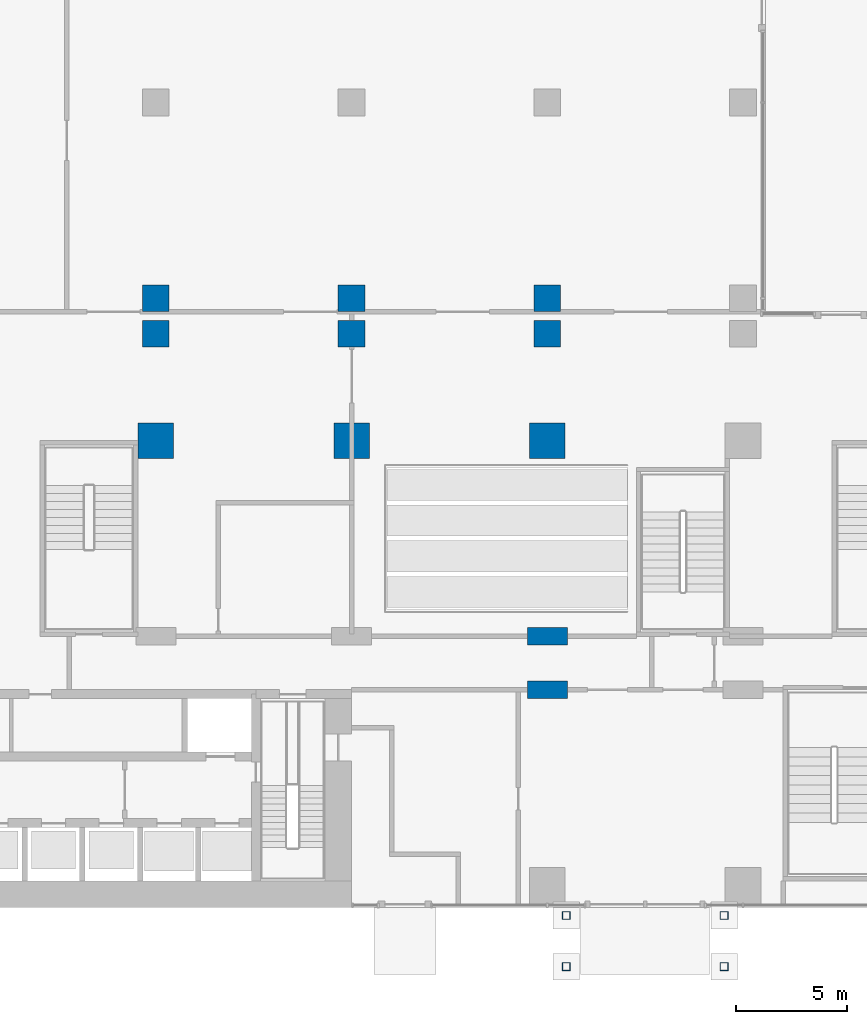
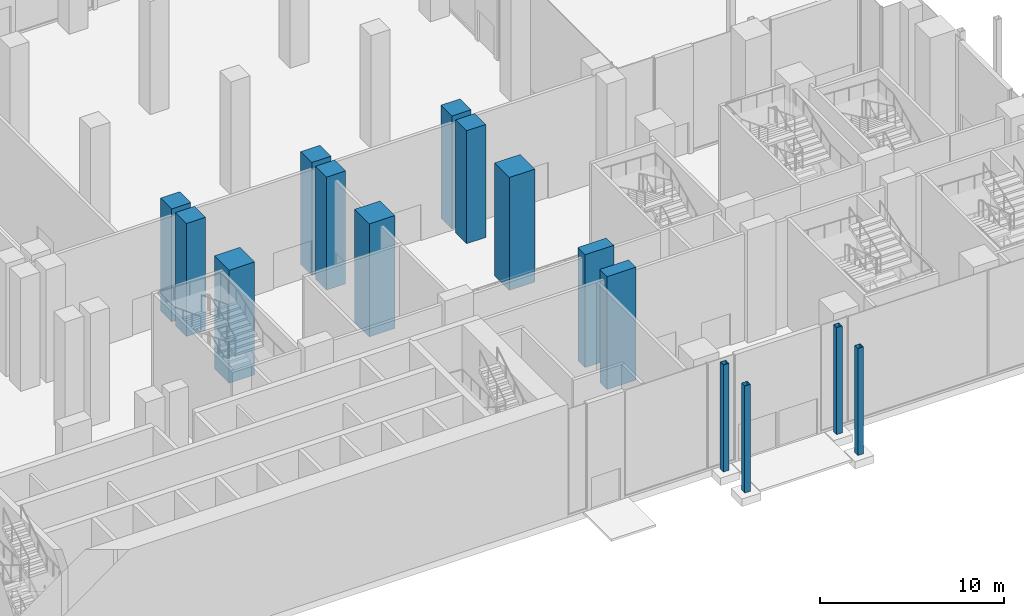
# One storey, part 2 of 41: 15 columns.
"""IFC4 building model written with IfcOpenShell, lengths in metres."""

from ifc_helpers import new_model, si_unit, direction, frame, origin, origin_2d, place, context, subcontext, project, spatial, rectangle, hollow_rectangle, extrude, material, material_profile, profile_set, type_object, element, save


model = new_model("IFC4")

# Units and contexts
model_context = context("Model", 3, precision=1e-05, world=origin(), true_north=direction((0.0, 1.0)))
body_context = subcontext(model_context, "Body", "Model", "MODEL_VIEW")
ifc_project = project(units=[si_unit("LENGTHUNIT", "METRE"), si_unit("AREAUNIT", "SQUARE_METRE"), si_unit("VOLUMEUNIT", "CUBIC_METRE"), si_unit("PLANEANGLEUNIT", "RADIAN"), si_unit("MASSUNIT", "GRAM", prefix="KILO")], contexts=[model_context])

# Site, building, storey
site_placement = place(None, origin())
site = spatial("IfcSite", under=ifc_project, at=site_placement, CompositionType="ELEMENT")
building_placement = place(site_placement, origin())
building = spatial("IfcBuilding", under=site, at=building_placement, Name="Kemantara Hotel Tower", CompositionType="ELEMENT")
storey_placement = place(building_placement, origin())
storey = spatial("IfcBuildingStorey", under=building, at=storey_placement, Name="L00", CompositionType="ELEMENT", Elevation=0.0)

# Columns
ifc_material_1 = material(Name="Steel ASTM A500 Grade C", Category="steel")
ifc_material_profile_1 = material_profile(ifc_material_1, hollow_rectangle(XDim=0.355712890625, YDim=0.355712890625, WallThickness=0.0126953125, at=origin_2d()), Name="HSS355.6X355.6X12.7")
ifc_profile_set_1 = profile_set([ifc_material_profile_1], Name="Steel ASTM A500 Grade C")
column_type_1 = type_object("IfcColumnType", Name="CANOPY POST HSS355.6X355.6X12.7", PredefinedType="COLUMN", material=ifc_profile_set_1)
for number, where, z_axis, x_axis, name in (
    (1, (54.64990234375, -0.35009765625, 0.0), (0.0, 0.0, 1.0), (1.0, 0.0, 0.0), "CANOPY POST STATION-S-1"),
    (2, (61.75, -0.35009765625, 0.0), (0.0, 0.0, 1.0), (1.0, 0.0, 0.0), "CANOPY POST STATION-S-2"),
    (3, (61.75, -2.64990234375, 0.0), (0.0, 0.0, 1.0), (1.0, 0.0, 0.0), "CANOPY POST STATION-S-3"),
    (4, (54.64990234375, -2.64990234375, 0.0), (0.0, 0.0, 1.0), (1.0, 0.0, 0.0), "CANOPY POST STATION-S-4"),
):
    element("IfcColumn", number, at=place(storey_placement, frame(where, z_axis=z_axis, x_axis=x_axis)), inside=storey, type_object=column_type_1, Name=name, PredefinedType="COLUMN", context=body_context, shape_type="SweptSolid", body=[
        extrude(hollow_rectangle(XDim=0.355712890625, YDim=0.355712890625, WallThickness=0.0126953125, at=origin_2d()), origin(), (0.0, 0.0, 1.0), 7.10009765625),
    ])
ifc_material_2 = material(Name="Concrete fc 70 MPa", Category="concrete")
ifc_material_profile_2 = material_profile(ifc_material_2, rectangle(XDim=1.199951171875, YDim=1.199951171875, at=origin_2d()), Name="RC 1200X1200")
ifc_profile_set_2 = profile_set([ifc_material_profile_2], Name="Concrete fc 70 MPa")
column_type_2 = type_object("IfcColumnType", Name="RC COLUMN 1200X1200 FC70", PredefinedType="COLUMN", material=ifc_profile_set_2)
for number, where, z_axis, x_axis, name in (
    (5, (36.199951171875, 25.800048828125, 0.0), (0.0, 0.0, 1.0), (1.0, 0.0, 0.0), "COLUMN 5/CA L00"),
    (6, (45.0, 25.800048828125, 0.0), (0.0, 0.0, 1.0), (1.0, 0.0, 0.0), "COLUMN 6/CA L00"),
    (7, (53.800048828125, 25.800048828125, 0.0), (0.0, 0.0, 1.0), (1.0, 0.0, 0.0), "COLUMN 7/CA L00"),
    (8, (36.199951171875, 27.39990234375, 0.0), (0.0, 0.0, 1.0), (1.0, 0.0, 0.0), "COLUMN 5/D L00"),
    (9, (45.0, 27.39990234375, 0.0), (0.0, 0.0, 1.0), (1.0, 0.0, 0.0), "COLUMN 6/D L00"),
    (10, (53.800048828125, 27.39990234375, 0.0), (0.0, 0.0, 1.0), (1.0, 0.0, 0.0), "COLUMN 7/D L00"),
):
    element("IfcColumn", number, at=place(storey_placement, frame(where, z_axis=z_axis, x_axis=x_axis)), inside=storey, type_object=column_type_2, Name=name, PredefinedType="COLUMN", context=body_context, shape_type="SweptSolid", body=[
        extrude(rectangle(XDim=1.199951171875, YDim=1.199951171875, at=origin_2d()), origin(), (0.0, 0.0, 1.0), 7.5),
    ])
ifc_material_profile_3 = material_profile(ifc_material_2, rectangle(XDim=1.60009765625, YDim=1.60009765625, at=origin_2d()), Name="RC 1600X1600")
ifc_profile_set_3 = profile_set([ifc_material_profile_3], Name="Concrete fc 70 MPa")
column_type_3 = type_object("IfcColumnType", Name="RC COLUMN 1600X1600 FC70", PredefinedType="COLUMN", material=ifc_profile_set_3)
for number, where, z_axis, x_axis, name in (
    (11, (36.199951171875, 21.0, 0.0), (0.0, 0.0, 1.0), (1.0, 0.0, 0.0), "COLUMN 5/C L00"),
    (12, (45.0, 21.0, 0.0), (0.0, 0.0, 1.0), (1.0, 0.0, 0.0), "COLUMN 6/C L00"),
    (13, (53.800048828125, 21.0, 0.0), (0.0, 0.0, 1.0), (1.0, 0.0, 0.0), "COLUMN 7/C L00"),
):
    element("IfcColumn", number, at=place(storey_placement, frame(where, z_axis=z_axis, x_axis=x_axis)), inside=storey, type_object=column_type_3, Name=name, PredefinedType="COLUMN", context=body_context, shape_type="SweptSolid", body=[
        extrude(rectangle(XDim=1.60009765625, YDim=1.60009765625, at=origin_2d()), origin(), (0.0, 0.0, 1.0), 7.5),
    ])
ifc_material_profile_4 = material_profile(ifc_material_2, rectangle(XDim=1.800048828125, YDim=0.800048828125, at=origin_2d()), Name="RC 1800X800")
ifc_profile_set_4 = profile_set([ifc_material_profile_4], Name="Concrete fc 70 MPa")
column_type_4 = type_object("IfcColumnType", Name="RC COLUMN 1800X800 FC70", PredefinedType="COLUMN", material=ifc_profile_set_4)
for number, where, z_axis, x_axis, name in (
    (14, (53.800048828125, 9.800048828125, 0.0), (0.0, 0.0, 1.0), (1.0, 0.0, 0.0), "COLUMN 7/B L00"),
    (15, (53.800048828125, 12.199951171875, 0.0), (0.0, 0.0, 1.0), (1.0, 0.0, 0.0), "COLUMN 7/BA L00"),
):
    element("IfcColumn", number, at=place(storey_placement, frame(where, z_axis=z_axis, x_axis=x_axis)), inside=storey, type_object=column_type_4, Name=name, PredefinedType="COLUMN", context=body_context, shape_type="SweptSolid", body=[
        extrude(rectangle(XDim=1.800048828125, YDim=0.800048828125, at=origin_2d()), origin(), (0.0, 0.0, 1.0), 7.5),
    ])

save(model, "model.ifc")
